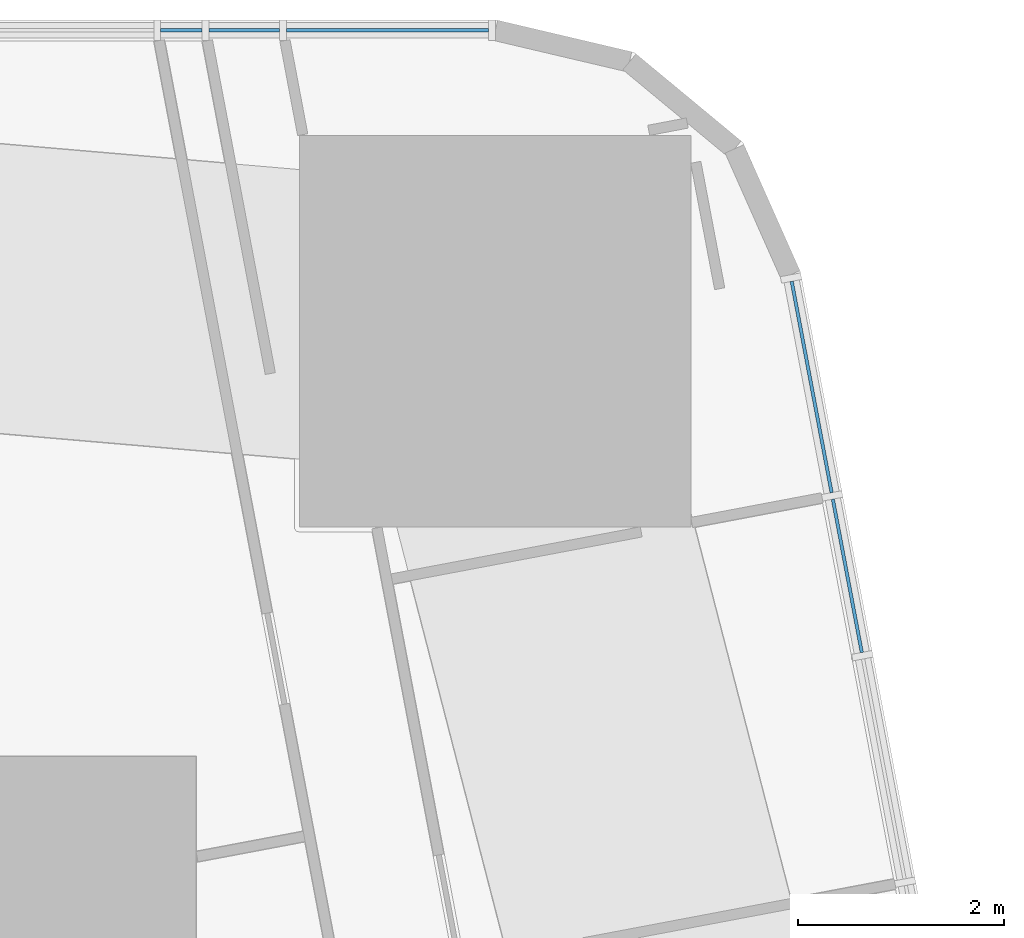
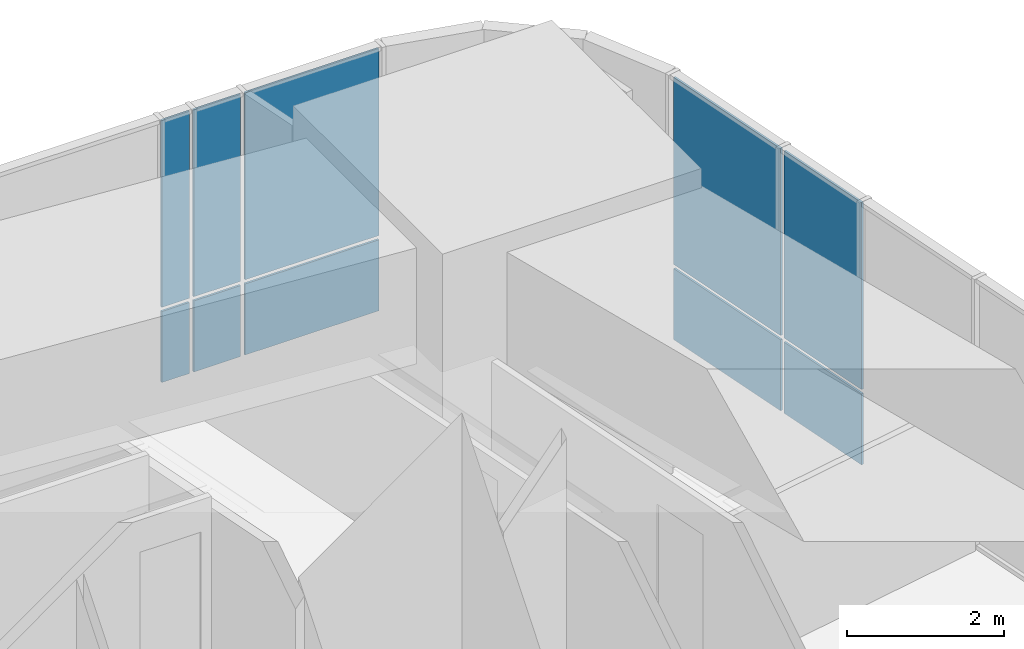
# One storey, part 13 of 23: 10 plates, 2 elements without a shape of their own.
"""IFC4 building model written with IfcOpenShell, lengths in metres."""

from ifc_helpers import new_model, si_unit, direction, frame, origin, origin_2d, place, context, subcontext, project, spatial, rectangle, extrude, material, layer, layer_set, type_object, element, aggregate, save


model = new_model("IFC4")

# Units and contexts
model_context = context("Model", 3, precision=1e-05, world=origin(), true_north=direction((0.0, 1.0)))
body_context = subcontext(model_context, "Body", "Model", "MODEL_VIEW")
ifc_project = project(units=[si_unit("LENGTHUNIT", "METRE"), si_unit("AREAUNIT", "SQUARE_METRE"), si_unit("VOLUMEUNIT", "CUBIC_METRE"), si_unit("PLANEANGLEUNIT", "RADIAN"), si_unit("MASSUNIT", "GRAM", prefix="KILO")], contexts=[model_context])

# Site, building, storey
site_placement = place(None, origin())
site = spatial("IfcSite", under=ifc_project, at=site_placement, CompositionType="ELEMENT")
building_placement = place(site_placement, origin())
building = spatial("IfcBuilding", under=site, at=building_placement, Name="Sheger Commons Tower", CompositionType="ELEMENT")
storey_placement = place(building_placement, frame((0.0, 0.0, 5.60009765625)))
storey = spatial("IfcBuildingStorey", under=building, at=storey_placement, Name="L01", CompositionType="ELEMENT", Elevation=5.60009765625)

# Curtain wall, plates
ifc_material_1 = material(Name="Black aluminium curtain wall, dark tinted glazing", Category="aluminium")
curtain_wall_type = type_object("IfcCurtainWallType", Name="CURTAIN WALL CW2 HEALTH CENTRE", PredefinedType="USERDEFINED", material=ifc_material_1)
curtain_wall_1_placement = place(storey_placement, origin())
curtain_wall_1 = element("IfcCurtainWall", 1, at=curtain_wall_1_placement, inside=storey, type_object=curtain_wall_type, Name="Curtain Wall Cw2 Health Centre E1 L01", ObjectType="STICK CURTAIN WALL", PredefinedType="USERDEFINED")
ifc_material_2 = material(Name="Dark tinted double glazing", Category="glass")
ifc_layer = layer(ifc_material_2, 0.031982421875)
ifc_layer_set = layer_set([ifc_layer], Name="GLAZED PANEL 32")
plate_type = type_object("IfcPlateType", Name="GLAZED PANEL 32", PredefinedType="CURTAIN_PANEL", material=ifc_layer_set)
plate_1_placement = place(storey_placement, frame((43.52197265625, 40.454833984375, 0.06494140625), z_axis=(0.0, 0.0, 1.0), x_axis=(-0.185609884918, 0.982623514181, 0.0)))
plate_1 = element("IfcPlate", 2, at=plate_1_placement, type_object=plate_type, Name="CW2 panel 19.1", PredefinedType="CURTAIN_PANEL", context=body_context, shape_type="SweptSolid", body=[
    extrude(rectangle(XDim=1.513916015625, YDim=0.031982421875, at=origin_2d()), origin(), (0.0, 0.0, 1.0), 1.1025390625),
])
plate_2_placement = place(storey_placement, frame((43.52197265625, 40.454833984375, 1.232421875), z_axis=(0.0, 0.0, 1.0), x_axis=(-0.185609884918, 0.982623514181, 0.0)))
plate_2 = element("IfcPlate", 3, at=plate_2_placement, type_object=plate_type, Name="CW2 panel 19.2", PredefinedType="CURTAIN_PANEL", context=body_context, shape_type="SweptSolid", body=[
    extrude(rectangle(XDim=1.513916015625, YDim=0.031982421875, at=origin_2d()), origin(), (0.0, 0.0, 1.0), 2.902587890625),
])
plate_3_placement = place(storey_placement, frame((43.17578125, 42.287841796875, 0.06494140625), z_axis=(0.0, 0.0, 1.0), x_axis=(-0.185609884918, 0.982623514181, 0.0)))
plate_3 = element("IfcPlate", 4, at=plate_3_placement, type_object=plate_type, Name="CW2 panel 20.1", PredefinedType="CURTAIN_PANEL", context=body_context, shape_type="SweptSolid", body=[
    extrude(rectangle(XDim=2.086669921875, YDim=0.031982421875, at=origin_2d()), origin(), (0.0, 0.0, 1.0), 1.1025390625),
])
plate_4_placement = place(storey_placement, frame((43.17578125, 42.287841796875, 1.232421875), z_axis=(0.0, 0.0, 1.0), x_axis=(-0.185609884918, 0.982623514181, 0.0)))
plate_4 = element("IfcPlate", 5, at=plate_4_placement, type_object=plate_type, Name="CW2 panel 20.2", PredefinedType="CURTAIN_PANEL", context=body_context, shape_type="SweptSolid", body=[
    extrude(rectangle(XDim=2.086669921875, YDim=0.031982421875, at=origin_2d()), origin(), (0.0, 0.0, 1.0), 2.902587890625),
])
aggregate(curtain_wall_1, [plate_1, plate_2, plate_3, plate_4])

curtain_wall_2_placement = place(storey_placement, origin())
curtain_wall_2 = element("IfcCurtainWall", 6, at=curtain_wall_2_placement, inside=storey, type_object=curtain_wall_type, Name="Curtain Wall Cw2 Health Centre N1 L01", ObjectType="STICK CURTAIN WALL", PredefinedType="USERDEFINED")
plate_5_placement = place(storey_placement, frame((39.058837890625, 45.75, 0.06494140625), z_axis=(0.0, 0.0, 1.0), x_axis=(-1.0, 0.0, 0.0)))
plate_5 = element("IfcPlate", 7, at=plate_5_placement, type_object=plate_type, Name="CW2 panel 1.1", PredefinedType="CURTAIN_PANEL", context=body_context, shape_type="SweptSolid", body=[
    extrude(rectangle(XDim=1.964599609375, YDim=0.031982421875, at=origin_2d()), origin(), (0.0, 0.0, 1.0), 1.1025390625),
])
plate_6_placement = place(storey_placement, frame((39.058837890625, 45.75, 1.232421875), z_axis=(0.0, 0.0, 1.0), x_axis=(-1.0, 0.0, 0.0)))
plate_6 = element("IfcPlate", 8, at=plate_6_placement, type_object=plate_type, Name="CW2 panel 1.2", PredefinedType="CURTAIN_PANEL", context=body_context, shape_type="SweptSolid", body=[
    extrude(rectangle(XDim=1.964599609375, YDim=0.031982421875, at=origin_2d()), origin(), (0.0, 0.0, 1.0), 2.902587890625),
])
plate_7_placement = place(storey_placement, frame((37.66796875, 45.75, 0.06494140625), z_axis=(0.0, 0.0, 1.0), x_axis=(-1.0, 0.0, 0.0)))
plate_7 = element("IfcPlate", 9, at=plate_7_placement, type_object=plate_type, Name="CW2 panel 2.1", PredefinedType="CURTAIN_PANEL", context=body_context, shape_type="SweptSolid", body=[
    extrude(rectangle(XDim=0.68701171875, YDim=0.031982421875, at=origin_2d()), origin(), (0.0, 0.0, 1.0), 1.1025390625),
])
plate_8_placement = place(storey_placement, frame((37.66796875, 45.75, 1.232421875), z_axis=(0.0, 0.0, 1.0), x_axis=(-1.0, 0.0, 0.0)))
plate_8 = element("IfcPlate", 10, at=plate_8_placement, type_object=plate_type, Name="CW2 panel 2.2", PredefinedType="CURTAIN_PANEL", context=body_context, shape_type="SweptSolid", body=[
    extrude(rectangle(XDim=0.68701171875, YDim=0.031982421875, at=origin_2d()), origin(), (0.0, 0.0, 1.0), 2.902587890625),
])
plate_9_placement = place(storey_placement, frame((37.0576171875, 45.75, 0.06494140625), z_axis=(0.0, 0.0, 1.0), x_axis=(-1.0, 0.0, 0.0)))
plate_9 = element("IfcPlate", 11, at=plate_9_placement, type_object=plate_type, Name="CW2 panel 3.1", PredefinedType="CURTAIN_PANEL", context=body_context, shape_type="SweptSolid", body=[
    extrude(rectangle(XDim=0.404052734375, YDim=0.031982421875, at=origin_2d()), origin(), (0.0, 0.0, 1.0), 1.1025390625),
])
plate_10_placement = place(storey_placement, frame((37.0576171875, 45.75, 1.232421875), z_axis=(0.0, 0.0, 1.0), x_axis=(-1.0, 0.0, 0.0)))
plate_10 = element("IfcPlate", 12, at=plate_10_placement, type_object=plate_type, Name="CW2 panel 3.2", PredefinedType="CURTAIN_PANEL", context=body_context, shape_type="SweptSolid", body=[
    extrude(rectangle(XDim=0.404052734375, YDim=0.031982421875, at=origin_2d()), origin(), (0.0, 0.0, 1.0), 2.902587890625),
])
aggregate(curtain_wall_2, [plate_5, plate_6, plate_7, plate_8, plate_9, plate_10])

save(model, "model.ifc")
